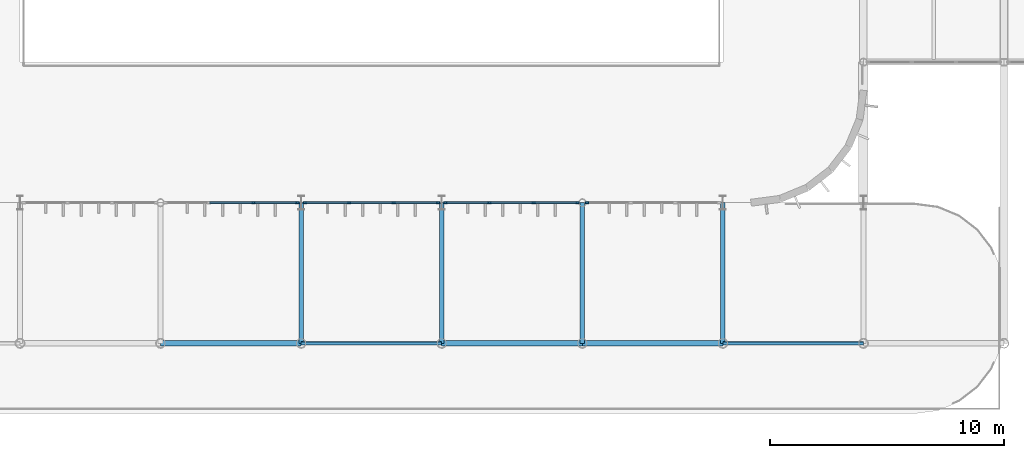
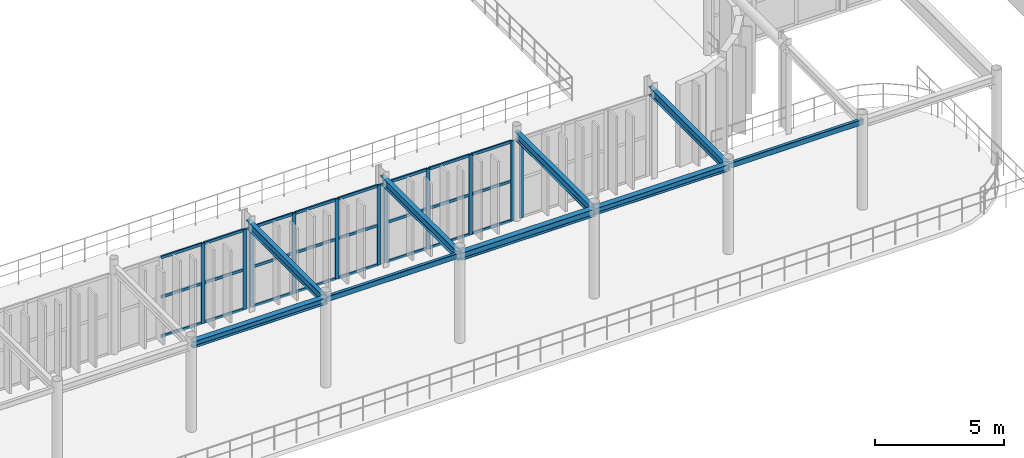
# One storey, part 35 of 96: 35 members, 9 beams, 4 elements without a shape of their own.
"""IFC4 building model written with IfcOpenShell, lengths in metres."""

from ifc_helpers import new_model, si_unit, direction, frame, origin, origin_2d, place, context, subcontext, project, spatial, rectangle, hollow_rectangle, i_section, extrude, material, material_profile, profile_set, type_object, element, aggregate, save


model = new_model("IFC4")

# Units and contexts
model_context = context("Model", 3, precision=1e-05, world=origin(), true_north=direction((0.0, 1.0)))
body_context = subcontext(model_context, "Body", "Model", "MODEL_VIEW")
ifc_project = project(units=[si_unit("LENGTHUNIT", "METRE"), si_unit("AREAUNIT", "SQUARE_METRE"), si_unit("VOLUMEUNIT", "CUBIC_METRE"), si_unit("PLANEANGLEUNIT", "RADIAN"), si_unit("MASSUNIT", "GRAM", prefix="KILO")], contexts=[model_context])

# Site, building, storey
site_placement = place(None, origin())
site = spatial("IfcSite", under=ifc_project, at=site_placement, CompositionType="ELEMENT")
building_placement = place(site_placement, origin())
building = spatial("IfcBuilding", under=site, at=building_placement, Name="Varnakota Square Police Headquarters", CompositionType="ELEMENT")
storey_placement = place(building_placement, frame((0.0, 0.0, 4.800048828125)))
storey = spatial("IfcBuildingStorey", under=building, at=storey_placement, Name="L01", CompositionType="ELEMENT", Elevation=4.800048828125)

# Beams
ifc_material_1 = material(Name="Steel IS 2062 Grade 350", Category="steel")
ifc_material_profile_1 = material_profile(ifc_material_1, hollow_rectangle(XDim=0.14990234375, YDim=0.25, WallThickness=0.010009765625, InnerFilletRadius=0.010009765625, OuterFilletRadius=0.02001953125, at=origin_2d()), Name="RHS 250x150x10")
ifc_profile_set_1 = profile_set([ifc_material_profile_1], Name="Steel IS 2062 Grade 350")
beam_type_1 = type_object("IfcBeamType", Name="BM-CBEAM-RHS250", PredefinedType="BEAM", material=ifc_profile_set_1)
for number, where, z_axis, x_axis, name in (
    (1, (72.0, 3.0, 4.074951171875), (1.0, 0.0, 0.0), (0.0, 1.0, 0.0), "BMG-L01-1322"),
    (2, (90.0, 3.0, 4.074951171875), (1.0, 0.0, 0.0), (0.0, 1.0, 0.0), "BMG-L01-1325"),
):
    element("IfcBeam", number, at=place(storey_placement, frame(where, z_axis=z_axis, x_axis=x_axis)), inside=storey, type_object=beam_type_1, Name=name, PredefinedType="BEAM", context=body_context, shape_type="SweptSolid", body=[
        extrude(hollow_rectangle(XDim=0.14990234375, YDim=0.25, WallThickness=0.010009765625, InnerFilletRadius=0.010009765625, OuterFilletRadius=0.02001953125, at=origin_2d()), origin(), (0.0, 0.0, 1.0), 6.0),
    ])
ifc_material_profile_2 = material_profile(ifc_material_1, i_section(OverallWidth=0.25, OverallDepth=0.300048828125, WebThickness=0.009521484375, FlangeThickness=0.010498046875, FilletRadius=0.011962890625, at=origin_2d()), Name="ISHB 300")
ifc_profile_set_2 = profile_set([ifc_material_profile_2], Name="Steel IS 2062 Grade 350")
beam_type_2 = type_object("IfcBeamType", Name="BM-ISHB300", PredefinedType="BEAM", material=ifc_profile_set_2)
for number, where, z_axis, x_axis, name in (
    (3, (66.0, 3.0, 4.050048828125), (1.0, 0.0, 0.0), (0.0, 1.0, 0.0), "BMG-L01-1321"),
    (4, (84.0, 3.0, 4.050048828125), (1.0, 0.0, 0.0), (0.0, 1.0, 0.0), "BMG-L01-1324"),
):
    element("IfcBeam", number, at=place(storey_placement, frame(where, z_axis=z_axis, x_axis=x_axis)), inside=storey, type_object=beam_type_2, Name=name, PredefinedType="BEAM", context=body_context, shape_type="SweptSolid", body=[
        extrude(i_section(OverallWidth=0.25, OverallDepth=0.300048828125, WebThickness=0.009521484375, FlangeThickness=0.010498046875, FilletRadius=0.011962890625, at=origin_2d()), origin(), (0.0, 0.0, 1.0), 6.0),
    ])
ifc_material_profile_3 = material_profile(ifc_material_1, i_section(OverallWidth=0.25, OverallDepth=0.35009765625, WebThickness=0.010009765625, FlangeThickness=0.01171875, FilletRadius=0.011962890625, at=origin_2d()), Name="ISHB 350")
ifc_profile_set_3 = profile_set([ifc_material_profile_3], Name="Steel IS 2062 Grade 350")
beam_type_3 = type_object("IfcBeamType", Name="BM-ISHB350", PredefinedType="BEAM", material=ifc_profile_set_3)
beam_placement = place(storey_placement, frame((78.0, 3.0, 4.02490234375), z_axis=(1.0, 0.0, 0.0), x_axis=(0.0, 1.0, 0.0)))
element("IfcBeam", 5, at=beam_placement, inside=storey, type_object=beam_type_3, Name="BMG-L01-1323", PredefinedType="BEAM", context=body_context, shape_type="SweptSolid", body=[
    extrude(i_section(OverallWidth=0.25, OverallDepth=0.35009765625, WebThickness=0.010009765625, FlangeThickness=0.01171875, FilletRadius=0.011962890625, at=origin_2d()), origin(), (0.0, 0.0, 1.0), 6.0),
])
ifc_material_profile_4 = material_profile(ifc_material_1, i_section(OverallWidth=0.199951171875, OverallDepth=0.39990234375, WebThickness=0.008544921875, FlangeThickness=0.012939453125, FilletRadius=0.012939453125, at=origin_2d()), Name="ISWB 400")
ifc_profile_set_4 = profile_set([ifc_material_profile_4], Name="Steel IS 2062 Grade 350")
beam_type_4 = type_object("IfcBeamType", Name="BM-ISWB400", PredefinedType="BEAM", material=ifc_profile_set_4)
for number, where, z_axis, x_axis, name in (
    (6, (72.0, 3.0, 4.0), (0.0, 1.0, 0.0), (-1.0, 0.0, 0.0), "BMG-L01-1652"),
    (7, (78.0, 3.0, 4.0), (0.0, 1.0, 0.0), (-1.0, 0.0, 0.0), "BMG-L01-1656"),
    (8, (84.0, 3.0, 4.0), (0.0, 1.0, 0.0), (-1.0, 0.0, 0.0), "BMG-L01-1660"),
    (9, (90.0, 3.0, 4.0), (0.0, 1.0, 0.0), (-1.0, 0.0, 0.0), "BMG-L01-1664"),
):
    element("IfcBeam", number, at=place(storey_placement, frame(where, z_axis=z_axis, x_axis=x_axis)), inside=storey, type_object=beam_type_4, Name=name, PredefinedType="BEAM", context=body_context, shape_type="SweptSolid", body=[
        extrude(i_section(OverallWidth=0.199951171875, OverallDepth=0.39990234375, WebThickness=0.008544921875, FlangeThickness=0.012939453125, FilletRadius=0.012939453125, at=origin_2d()), origin(), (0.0, 0.0, 1.0), 6.0),
    ])

# Curtain wall, members
ifc_material_2 = material(Name="Anodised Aluminium Framing", Category="aluminium")
curtain_wall_type = type_object("IfcCurtainWallType", Name="CW-SYS-B", PredefinedType="NOTDEFINED", material=ifc_material_2)
curtain_wall_1_placement = place(storey_placement, origin())
curtain_wall_1 = element("IfcCurtainWall", 10, at=curtain_wall_1_placement, inside=storey, type_object=curtain_wall_type, Name="Unitised curtain wall CWG-L01-017", PredefinedType="NOTDEFINED")
ifc_material_3 = material(Name="Anodised Aluminium 6063-T6", Category="aluminium")
ifc_material_profile_5 = material_profile(ifc_material_3, rectangle(XDim=0.06494140625, YDim=0.159912109375, at=origin_2d()), Name="ALU MULLION 65x160")
ifc_profile_set_5 = profile_set([ifc_material_profile_5], Name="Anodised Aluminium 6063-T6")
member_type_1 = type_object("IfcMemberType", Name="CWM-150", PredefinedType="MULLION", material=ifc_profile_set_5)
member_1_placement = place(storey_placement, frame((69.968994140625, 9.0, 0.0), z_axis=(0.0, 0.0, 1.0), x_axis=(0.0, 1.0, 0.0)))
member_1 = element("IfcMember", 11, at=member_1_placement, type_object=member_type_1, Name="CWG-L01-017 mullion 3", PredefinedType="MULLION", context=body_context, shape_type="SweptSolid", body=[
    extrude(rectangle(XDim=0.06494140625, YDim=0.159912109375, at=origin_2d()), origin(), (0.0, 0.0, 1.0), 3.7900390625),
])
member_2_placement = place(storey_placement, frame((71.83740234375, 9.0, 0.0), z_axis=(0.0, 0.0, 1.0), x_axis=(0.0, 1.0, 0.0)))
member_2 = element("IfcMember", 12, at=member_2_placement, type_object=member_type_1, Name="CWG-L01-017 mullion 4", PredefinedType="MULLION", context=body_context, shape_type="SweptSolid", body=[
    extrude(rectangle(XDim=0.06494140625, YDim=0.159912109375, at=origin_2d()), origin(), (0.0, 0.0, 1.0), 3.7900390625),
])

curtain_wall_2_placement = place(storey_placement, origin())
curtain_wall_2 = element("IfcCurtainWall", 13, at=curtain_wall_2_placement, inside=storey, type_object=curtain_wall_type, Name="Unitised curtain wall CWG-L01-018", PredefinedType="NOTDEFINED")
member_3_placement = place(storey_placement, frame((72.16259765625, 9.0, 0.0), z_axis=(0.0, 0.0, 1.0), x_axis=(0.0, 1.0, 0.0)))
member_3 = element("IfcMember", 14, at=member_3_placement, type_object=member_type_1, Name="CWG-L01-018 mullion 1", PredefinedType="MULLION", context=body_context, shape_type="SweptSolid", body=[
    extrude(rectangle(XDim=0.06494140625, YDim=0.159912109375, at=origin_2d()), origin(), (0.0, 0.0, 1.0), 3.7900390625),
])
member_4_placement = place(storey_placement, frame((74.043212890625, 9.0, 0.0), z_axis=(0.0, 0.0, 1.0), x_axis=(0.0, 1.0, 0.0)))
member_4 = element("IfcMember", 15, at=member_4_placement, type_object=member_type_1, Name="CWG-L01-018 mullion 2", PredefinedType="MULLION", context=body_context, shape_type="SweptSolid", body=[
    extrude(rectangle(XDim=0.06494140625, YDim=0.159912109375, at=origin_2d()), origin(), (0.0, 0.0, 1.0), 3.7900390625),
])
member_5_placement = place(storey_placement, frame((75.956787109375, 9.0, 0.0), z_axis=(0.0, 0.0, 1.0), x_axis=(0.0, 1.0, 0.0)))
member_5 = element("IfcMember", 16, at=member_5_placement, type_object=member_type_1, Name="CWG-L01-018 mullion 3", PredefinedType="MULLION", context=body_context, shape_type="SweptSolid", body=[
    extrude(rectangle(XDim=0.06494140625, YDim=0.159912109375, at=origin_2d()), origin(), (0.0, 0.0, 1.0), 3.7900390625),
])
member_6_placement = place(storey_placement, frame((77.83740234375, 9.0, 0.0), z_axis=(0.0, 0.0, 1.0), x_axis=(0.0, 1.0, 0.0)))
member_6 = element("IfcMember", 17, at=member_6_placement, type_object=member_type_1, Name="CWG-L01-018 mullion 4", PredefinedType="MULLION", context=body_context, shape_type="SweptSolid", body=[
    extrude(rectangle(XDim=0.06494140625, YDim=0.159912109375, at=origin_2d()), origin(), (0.0, 0.0, 1.0), 3.7900390625),
])

curtain_wall_3_placement = place(storey_placement, origin())
curtain_wall_3 = element("IfcCurtainWall", 18, at=curtain_wall_3_placement, inside=storey, type_object=curtain_wall_type, Name="Unitised curtain wall CWG-L01-019", PredefinedType="NOTDEFINED")
member_7_placement = place(storey_placement, frame((78.16259765625, 9.0, 0.0), z_axis=(0.0, 0.0, 1.0), x_axis=(0.0, 1.0, 0.0)))
member_7 = element("IfcMember", 19, at=member_7_placement, type_object=member_type_1, Name="CWG-L01-019 mullion 1", PredefinedType="MULLION", context=body_context, shape_type="SweptSolid", body=[
    extrude(rectangle(XDim=0.06494140625, YDim=0.159912109375, at=origin_2d()), origin(), (0.0, 0.0, 1.0), 3.7900390625),
])
member_8_placement = place(storey_placement, frame((80.031005859375, 9.0, 0.0), z_axis=(0.0, 0.0, 1.0), x_axis=(0.0, 1.0, 0.0)))
member_8 = element("IfcMember", 20, at=member_8_placement, type_object=member_type_1, Name="CWG-L01-019 mullion 2", PredefinedType="MULLION", context=body_context, shape_type="SweptSolid", body=[
    extrude(rectangle(XDim=0.06494140625, YDim=0.159912109375, at=origin_2d()), origin(), (0.0, 0.0, 1.0), 3.7900390625),
])
member_9_placement = place(storey_placement, frame((81.93212890625, 9.0, 0.0), z_axis=(0.0, 0.0, 1.0), x_axis=(0.0, 1.0, 0.0)))
member_9 = element("IfcMember", 21, at=member_9_placement, type_object=member_type_1, Name="CWG-L01-019 mullion 3", PredefinedType="MULLION", context=body_context, shape_type="SweptSolid", body=[
    extrude(rectangle(XDim=0.06494140625, YDim=0.159912109375, at=origin_2d()), origin(), (0.0, 0.0, 1.0), 3.7900390625),
])
member_10_placement = place(storey_placement, frame((83.800537109375, 9.0, 0.0), z_axis=(0.0, 0.0, 1.0), x_axis=(0.0, 1.0, 0.0)))
member_10 = element("IfcMember", 22, at=member_10_placement, type_object=member_type_1, Name="CWG-L01-019 mullion 4", PredefinedType="MULLION", context=body_context, shape_type="SweptSolid", body=[
    extrude(rectangle(XDim=0.06494140625, YDim=0.159912109375, at=origin_2d()), origin(), (0.0, 0.0, 1.0), 3.7900390625),
])

# Curtain wall, member
curtain_wall_4_placement = place(storey_placement, origin())
curtain_wall_4 = element("IfcCurtainWall", 23, at=curtain_wall_4_placement, inside=storey, type_object=curtain_wall_type, Name="Unitised curtain wall CWG-L01-020", PredefinedType="NOTDEFINED")
member_11_placement = place(storey_placement, frame((84.199462890625, 9.0, 0.0), z_axis=(0.0, 0.0, 1.0), x_axis=(0.0, 1.0, 0.0)))
member_11 = element("IfcMember", 24, at=member_11_placement, type_object=member_type_1, Name="CWG-L01-020 mullion 1", PredefinedType="MULLION", context=body_context, shape_type="SweptSolid", body=[
    extrude(rectangle(XDim=0.06494140625, YDim=0.159912109375, at=origin_2d()), origin(), (0.0, 0.0, 1.0), 3.7900390625),
])
aggregate(curtain_wall_4, [member_11])

# Member
ifc_material_profile_6 = material_profile(ifc_material_3, rectangle(XDim=0.06494140625, YDim=0.1298828125, at=origin_2d()), Name="ALU TRANSOM 65x130")
ifc_profile_set_6 = profile_set([ifc_material_profile_6], Name="Anodised Aluminium 6063-T6")
member_type_2 = type_object("IfcMemberType", Name="CWT-120", PredefinedType="USERDEFINED", material=ifc_profile_set_6)
member_12_placement = place(storey_placement, frame((68.100341796875, 9.0, 0.032470703125), z_axis=(1.0, 0.0, 0.0), x_axis=(0.0, 1.0, 0.0)))
member_12 = element("IfcMember", 25, at=member_12_placement, type_object=member_type_2, Name="CWG-L01-017 transom 2.1", ObjectType="TRANSOM", PredefinedType="USERDEFINED", context=body_context, shape_type="SweptSolid", body=[
    extrude(rectangle(XDim=0.06494140625, YDim=0.1298828125, at=origin_2d()), origin(), (0.0, 0.0, 1.0), 1.836181640625),
])

member_13_placement = place(storey_placement, frame((68.100341796875, 9.0, 1.89501953125), z_axis=(1.0, 0.0, 0.0), x_axis=(0.0, 1.0, 0.0)))
member_13 = element("IfcMember", 26, at=member_13_placement, type_object=member_type_2, Name="CWG-L01-017 transom 2.2", ObjectType="TRANSOM", PredefinedType="USERDEFINED", context=body_context, shape_type="SweptSolid", body=[
    extrude(rectangle(XDim=0.06494140625, YDim=0.1298828125, at=origin_2d()), origin(), (0.0, 0.0, 1.0), 1.836181640625),
])

member_14_placement = place(storey_placement, frame((68.100341796875, 9.0, 3.757568359375), z_axis=(1.0, 0.0, 0.0), x_axis=(0.0, 1.0, 0.0)))
member_14 = element("IfcMember", 27, at=member_14_placement, type_object=member_type_2, Name="CWG-L01-017 transom 2.3", ObjectType="TRANSOM", PredefinedType="USERDEFINED", context=body_context, shape_type="SweptSolid", body=[
    extrude(rectangle(XDim=0.06494140625, YDim=0.1298828125, at=origin_2d()), origin(), (0.0, 0.0, 1.0), 1.836181640625),
])

member_15_placement = place(storey_placement, frame((70.00146484375, 9.0, 0.032470703125), z_axis=(1.0, 0.0, 0.0), x_axis=(0.0, 1.0, 0.0)))
member_15 = element("IfcMember", 28, at=member_15_placement, type_object=member_type_2, Name="CWG-L01-017 transom 3.1", ObjectType="TRANSOM", PredefinedType="USERDEFINED", context=body_context, shape_type="SweptSolid", body=[
    extrude(rectangle(XDim=0.06494140625, YDim=0.1298828125, at=origin_2d()), origin(), (0.0, 0.0, 1.0), 1.803466796875),
])

member_16_placement = place(storey_placement, frame((70.00146484375, 9.0, 1.89501953125), z_axis=(1.0, 0.0, 0.0), x_axis=(0.0, 1.0, 0.0)))
member_16 = element("IfcMember", 29, at=member_16_placement, type_object=member_type_2, Name="CWG-L01-017 transom 3.2", ObjectType="TRANSOM", PredefinedType="USERDEFINED", context=body_context, shape_type="SweptSolid", body=[
    extrude(rectangle(XDim=0.06494140625, YDim=0.1298828125, at=origin_2d()), origin(), (0.0, 0.0, 1.0), 1.803466796875),
])

member_17_placement = place(storey_placement, frame((70.00146484375, 9.0, 3.757568359375), z_axis=(1.0, 0.0, 0.0), x_axis=(0.0, 1.0, 0.0)))
member_17 = element("IfcMember", 30, at=member_17_placement, type_object=member_type_2, Name="CWG-L01-017 transom 3.3", ObjectType="TRANSOM", PredefinedType="USERDEFINED", context=body_context, shape_type="SweptSolid", body=[
    extrude(rectangle(XDim=0.06494140625, YDim=0.1298828125, at=origin_2d()), origin(), (0.0, 0.0, 1.0), 1.803466796875),
])

aggregate(curtain_wall_1, [member_1, member_2, member_12, member_13, member_14, member_15, member_16, member_17])

member_18_placement = place(storey_placement, frame((72.195068359375, 9.0, 0.032470703125), z_axis=(1.0, 0.0, 0.0), x_axis=(0.0, 1.0, 0.0)))
member_18 = element("IfcMember", 31, at=member_18_placement, type_object=member_type_2, Name="CWG-L01-018 transom 1.1", ObjectType="TRANSOM", PredefinedType="USERDEFINED", context=body_context, shape_type="SweptSolid", body=[
    extrude(rectangle(XDim=0.06494140625, YDim=0.1298828125, at=origin_2d()), origin(), (0.0, 0.0, 1.0), 1.815673828125),
])

member_19_placement = place(storey_placement, frame((72.195068359375, 9.0, 1.89501953125), z_axis=(1.0, 0.0, 0.0), x_axis=(0.0, 1.0, 0.0)))
member_19 = element("IfcMember", 32, at=member_19_placement, type_object=member_type_2, Name="CWG-L01-018 transom 1.2", ObjectType="TRANSOM", PredefinedType="USERDEFINED", context=body_context, shape_type="SweptSolid", body=[
    extrude(rectangle(XDim=0.06494140625, YDim=0.1298828125, at=origin_2d()), origin(), (0.0, 0.0, 1.0), 1.815673828125),
])

member_20_placement = place(storey_placement, frame((72.195068359375, 9.0, 3.757568359375), z_axis=(1.0, 0.0, 0.0), x_axis=(0.0, 1.0, 0.0)))
member_20 = element("IfcMember", 33, at=member_20_placement, type_object=member_type_2, Name="CWG-L01-018 transom 1.3", ObjectType="TRANSOM", PredefinedType="USERDEFINED", context=body_context, shape_type="SweptSolid", body=[
    extrude(rectangle(XDim=0.06494140625, YDim=0.1298828125, at=origin_2d()), origin(), (0.0, 0.0, 1.0), 1.815673828125),
])

member_21_placement = place(storey_placement, frame((74.075927734375, 9.0, 0.032470703125), z_axis=(1.0, 0.0, 0.0), x_axis=(0.0, 1.0, 0.0)))
member_21 = element("IfcMember", 34, at=member_21_placement, type_object=member_type_2, Name="CWG-L01-018 transom 2.1", ObjectType="TRANSOM", PredefinedType="USERDEFINED", context=body_context, shape_type="SweptSolid", body=[
    extrude(rectangle(XDim=0.06494140625, YDim=0.1298828125, at=origin_2d()), origin(), (0.0, 0.0, 1.0), 1.84814453125),
])

member_22_placement = place(storey_placement, frame((74.075927734375, 9.0, 1.89501953125), z_axis=(1.0, 0.0, 0.0), x_axis=(0.0, 1.0, 0.0)))
member_22 = element("IfcMember", 35, at=member_22_placement, type_object=member_type_2, Name="CWG-L01-018 transom 2.2", ObjectType="TRANSOM", PredefinedType="USERDEFINED", context=body_context, shape_type="SweptSolid", body=[
    extrude(rectangle(XDim=0.06494140625, YDim=0.1298828125, at=origin_2d()), origin(), (0.0, 0.0, 1.0), 1.84814453125),
])

member_23_placement = place(storey_placement, frame((74.075927734375, 9.0, 3.757568359375), z_axis=(1.0, 0.0, 0.0), x_axis=(0.0, 1.0, 0.0)))
member_23 = element("IfcMember", 36, at=member_23_placement, type_object=member_type_2, Name="CWG-L01-018 transom 2.3", ObjectType="TRANSOM", PredefinedType="USERDEFINED", context=body_context, shape_type="SweptSolid", body=[
    extrude(rectangle(XDim=0.06494140625, YDim=0.1298828125, at=origin_2d()), origin(), (0.0, 0.0, 1.0), 1.84814453125),
])

member_24_placement = place(storey_placement, frame((75.9892578125, 9.0, 0.032470703125), z_axis=(1.0, 0.0, 0.0), x_axis=(0.0, 1.0, 0.0)))
member_24 = element("IfcMember", 37, at=member_24_placement, type_object=member_type_2, Name="CWG-L01-018 transom 3.1", ObjectType="TRANSOM", PredefinedType="USERDEFINED", context=body_context, shape_type="SweptSolid", body=[
    extrude(rectangle(XDim=0.06494140625, YDim=0.1298828125, at=origin_2d()), origin(), (0.0, 0.0, 1.0), 1.815673828125),
])

member_25_placement = place(storey_placement, frame((75.9892578125, 9.0, 1.89501953125), z_axis=(1.0, 0.0, 0.0), x_axis=(0.0, 1.0, 0.0)))
member_25 = element("IfcMember", 38, at=member_25_placement, type_object=member_type_2, Name="CWG-L01-018 transom 3.2", ObjectType="TRANSOM", PredefinedType="USERDEFINED", context=body_context, shape_type="SweptSolid", body=[
    extrude(rectangle(XDim=0.06494140625, YDim=0.1298828125, at=origin_2d()), origin(), (0.0, 0.0, 1.0), 1.815673828125),
])

member_26_placement = place(storey_placement, frame((75.9892578125, 9.0, 3.757568359375), z_axis=(1.0, 0.0, 0.0), x_axis=(0.0, 1.0, 0.0)))
member_26 = element("IfcMember", 39, at=member_26_placement, type_object=member_type_2, Name="CWG-L01-018 transom 3.3", ObjectType="TRANSOM", PredefinedType="USERDEFINED", context=body_context, shape_type="SweptSolid", body=[
    extrude(rectangle(XDim=0.06494140625, YDim=0.1298828125, at=origin_2d()), origin(), (0.0, 0.0, 1.0), 1.815673828125),
])

aggregate(curtain_wall_2, [member_3, member_4, member_5, member_6, member_18, member_19, member_20, member_21, member_22, member_23, member_24, member_25, member_26])

member_27_placement = place(storey_placement, frame((78.195068359375, 9.0, 0.032470703125), z_axis=(1.0, 0.0, 0.0), x_axis=(0.0, 1.0, 0.0)))
member_27 = element("IfcMember", 40, at=member_27_placement, type_object=member_type_2, Name="CWG-L01-019 transom 1.1", ObjectType="TRANSOM", PredefinedType="USERDEFINED", context=body_context, shape_type="SweptSolid", body=[
    extrude(rectangle(XDim=0.06494140625, YDim=0.1298828125, at=origin_2d()), origin(), (0.0, 0.0, 1.0), 1.803466796875),
])

member_28_placement = place(storey_placement, frame((78.195068359375, 9.0, 1.89501953125), z_axis=(1.0, 0.0, 0.0), x_axis=(0.0, 1.0, 0.0)))
member_28 = element("IfcMember", 41, at=member_28_placement, type_object=member_type_2, Name="CWG-L01-019 transom 1.2", ObjectType="TRANSOM", PredefinedType="USERDEFINED", context=body_context, shape_type="SweptSolid", body=[
    extrude(rectangle(XDim=0.06494140625, YDim=0.1298828125, at=origin_2d()), origin(), (0.0, 0.0, 1.0), 1.803466796875),
])

member_29_placement = place(storey_placement, frame((78.195068359375, 9.0, 3.757568359375), z_axis=(1.0, 0.0, 0.0), x_axis=(0.0, 1.0, 0.0)))
member_29 = element("IfcMember", 42, at=member_29_placement, type_object=member_type_2, Name="CWG-L01-019 transom 1.3", ObjectType="TRANSOM", PredefinedType="USERDEFINED", context=body_context, shape_type="SweptSolid", body=[
    extrude(rectangle(XDim=0.06494140625, YDim=0.1298828125, at=origin_2d()), origin(), (0.0, 0.0, 1.0), 1.803466796875),
])

member_30_placement = place(storey_placement, frame((80.0634765625, 9.0, 0.032470703125), z_axis=(1.0, 0.0, 0.0), x_axis=(0.0, 1.0, 0.0)))
member_30 = element("IfcMember", 43, at=member_30_placement, type_object=member_type_2, Name="CWG-L01-019 transom 2.1", ObjectType="TRANSOM", PredefinedType="USERDEFINED", context=body_context, shape_type="SweptSolid", body=[
    extrude(rectangle(XDim=0.06494140625, YDim=0.1298828125, at=origin_2d()), origin(), (0.0, 0.0, 1.0), 1.836181640625),
])

member_31_placement = place(storey_placement, frame((80.0634765625, 9.0, 1.89501953125), z_axis=(1.0, 0.0, 0.0), x_axis=(0.0, 1.0, 0.0)))
member_31 = element("IfcMember", 44, at=member_31_placement, type_object=member_type_2, Name="CWG-L01-019 transom 2.2", ObjectType="TRANSOM", PredefinedType="USERDEFINED", context=body_context, shape_type="SweptSolid", body=[
    extrude(rectangle(XDim=0.06494140625, YDim=0.1298828125, at=origin_2d()), origin(), (0.0, 0.0, 1.0), 1.836181640625),
])

member_32_placement = place(storey_placement, frame((80.0634765625, 9.0, 3.757568359375), z_axis=(1.0, 0.0, 0.0), x_axis=(0.0, 1.0, 0.0)))
member_32 = element("IfcMember", 45, at=member_32_placement, type_object=member_type_2, Name="CWG-L01-019 transom 2.3", ObjectType="TRANSOM", PredefinedType="USERDEFINED", context=body_context, shape_type="SweptSolid", body=[
    extrude(rectangle(XDim=0.06494140625, YDim=0.1298828125, at=origin_2d()), origin(), (0.0, 0.0, 1.0), 1.836181640625),
])

member_33_placement = place(storey_placement, frame((81.964599609375, 9.0, 0.032470703125), z_axis=(1.0, 0.0, 0.0), x_axis=(0.0, 1.0, 0.0)))
member_33 = element("IfcMember", 46, at=member_33_placement, type_object=member_type_2, Name="CWG-L01-019 transom 3.1", ObjectType="TRANSOM", PredefinedType="USERDEFINED", context=body_context, shape_type="SweptSolid", body=[
    extrude(rectangle(XDim=0.06494140625, YDim=0.1298828125, at=origin_2d()), origin(), (0.0, 0.0, 1.0), 1.803466796875),
])

member_34_placement = place(storey_placement, frame((81.964599609375, 9.0, 1.89501953125), z_axis=(1.0, 0.0, 0.0), x_axis=(0.0, 1.0, 0.0)))
member_34 = element("IfcMember", 47, at=member_34_placement, type_object=member_type_2, Name="CWG-L01-019 transom 3.2", ObjectType="TRANSOM", PredefinedType="USERDEFINED", context=body_context, shape_type="SweptSolid", body=[
    extrude(rectangle(XDim=0.06494140625, YDim=0.1298828125, at=origin_2d()), origin(), (0.0, 0.0, 1.0), 1.803466796875),
])

member_35_placement = place(storey_placement, frame((81.964599609375, 9.0, 3.757568359375), z_axis=(1.0, 0.0, 0.0), x_axis=(0.0, 1.0, 0.0)))
member_35 = element("IfcMember", 48, at=member_35_placement, type_object=member_type_2, Name="CWG-L01-019 transom 3.3", ObjectType="TRANSOM", PredefinedType="USERDEFINED", context=body_context, shape_type="SweptSolid", body=[
    extrude(rectangle(XDim=0.06494140625, YDim=0.1298828125, at=origin_2d()), origin(), (0.0, 0.0, 1.0), 1.803466796875),
])

aggregate(curtain_wall_3, [member_7, member_8, member_9, member_10, member_27, member_28, member_29, member_30, member_31, member_32, member_33, member_34, member_35])

save(model, "model.ifc")
